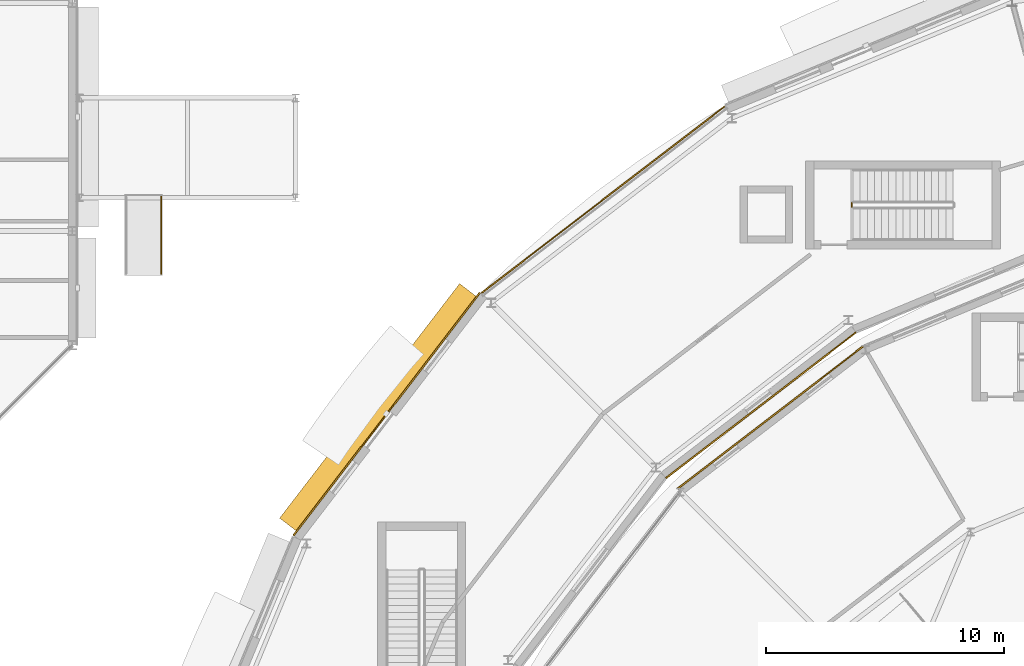
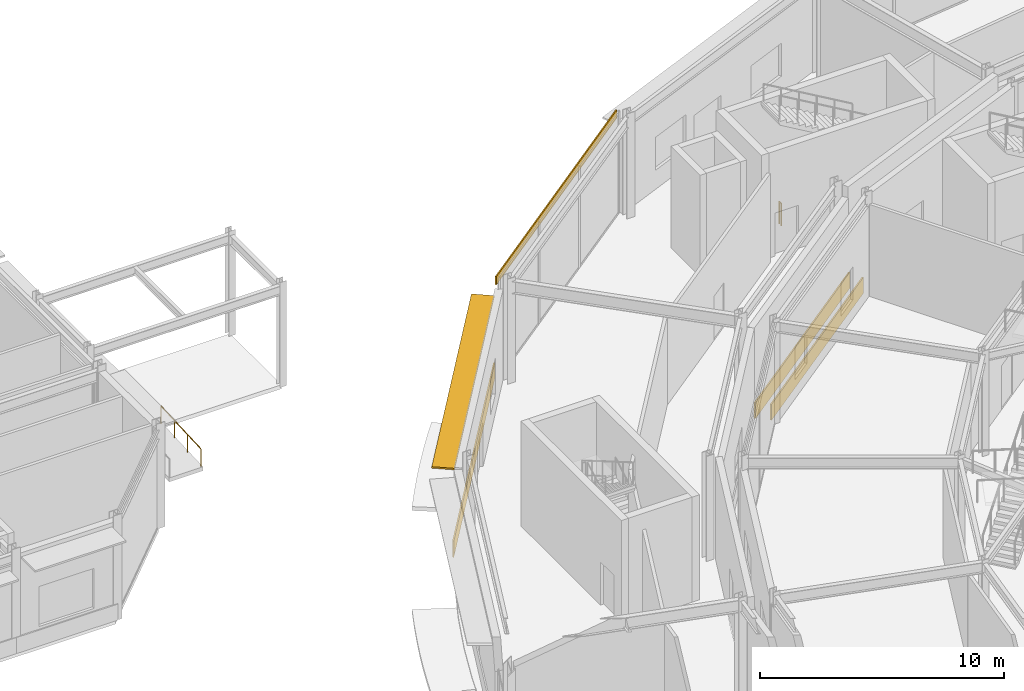
# One storey, part 155 of 168: 4 coverings, 2 railings, 1 shading device.
"""IFC4 building model written with IfcOpenShell, lengths in metres."""

from ifc_helpers import new_model, si_unit, direction, frame, origin, origin_2d, place, context, subcontext, project, spatial, rectangle, circle, extrude, material, layer, layer_set, type_object, element, save


model = new_model("IFC4")

# Units and contexts
model_context = context("Model", 3, precision=1e-05, world=origin(), true_north=direction((0.0, 1.0)))
body_context = subcontext(model_context, "Body", "Model", "MODEL_VIEW")
ifc_project = project(units=[si_unit("LENGTHUNIT", "METRE"), si_unit("AREAUNIT", "SQUARE_METRE"), si_unit("VOLUMEUNIT", "CUBIC_METRE"), si_unit("PLANEANGLEUNIT", "RADIAN"), si_unit("MASSUNIT", "GRAM", prefix="KILO")], contexts=[model_context])

# Site, building, storey
site_placement = place(None, origin())
site = spatial("IfcSite", under=ifc_project, at=site_placement, CompositionType="ELEMENT")
building_placement = place(site_placement, origin())
building = spatial("IfcBuilding", under=site, at=building_placement, Name="Almandine Court Research Institute", CompositionType="ELEMENT")
storey_placement = place(building_placement, origin())
storey = spatial("IfcBuildingStorey", under=building, at=storey_placement, Name="L00", CompositionType="ELEMENT", Elevation=0.0)

# Coverings
ifc_material_1 = material(Name="Honed Andean Red-Buff Sandstone Cladding", Category="masonry")
ifc_layer_1 = layer(ifc_material_1, 0.06494140625)
ifc_layer_set_1 = layer_set([ifc_layer_1], Name="Honed Andean Red-Buff Sandstone Cladding")
covering_type_1 = type_object("IfcCoveringType", Name="Cov-CLAD-SAND", PredefinedType="CLADDING", material=ifc_layer_set_1)
covering_1_placement = place(storey_placement, frame((63.77294921875, 86.27001953125, 0.02001953125), z_axis=(0.0, 0.0, 1.0), x_axis=(-0.793353340291, -0.608761429009, 0.0)))
element("IfcCovering", 1, at=covering_1_placement, inside=storey, type_object=covering_type_1, Name="L00 Facade Spandrel Cladding Band 277", PredefinedType="CLADDING", context=body_context, shape_type="SweptSolid", body=[
    extrude(rectangle(XDim=10.080078125, YDim=0.06494140625, at=origin_2d()), origin(), (0.0, 0.0, 1.0), 0.800048828125),
])
covering_2_placement = place(storey_placement, frame((48.031982421875, 85.902099609375, 0.02001953125), z_axis=(0.0, 0.0, 1.0), x_axis=(0.608761429009, 0.793353340291, 0.0)))
element("IfcCovering", 2, at=covering_2_placement, inside=storey, type_object=covering_type_1, Name="L00 Facade Spandrel Cladding Band 278", PredefinedType="CLADDING", context=body_context, shape_type="SweptSolid", body=[
    extrude(rectangle(XDim=12.867919921875, YDim=0.06494140625, at=origin_2d()), origin(), (0.0, 0.0, 1.0), 0.800048828125),
])
covering_3_placement = place(storey_placement, frame((64.169921875, 85.7529296875, 0.02001953125), z_axis=(0.0, 0.0, 1.0), x_axis=(0.793353340291, 0.608761429009, 0.0)))
element("IfcCovering", 3, at=covering_3_placement, inside=storey, type_object=covering_type_1, Name="L00 Facade Spandrel Cladding Band 431", PredefinedType="CLADDING", context=body_context, shape_type="SweptSolid", body=[
    extrude(rectangle(XDim=9.820068359375, YDim=0.06494140625, at=origin_2d()), origin(), (0.0, 0.0, 1.0), 0.800048828125),
])
ifc_material_2 = material(Name="Extruded Cream-Ochre Seismic Terracotta Spandrel", Category="masonry")
ifc_layer_2 = layer(ifc_material_2, 0.054931640625)
ifc_layer_set_2 = layer_set([ifc_layer_2], Name="Extruded Cream-Ochre Seismic Terracotta Spandrel")
covering_type_2 = type_object("IfcCoveringType", Name="Cov-CLAD-TERR", PredefinedType="CLADDING", material=ifc_layer_set_2)
covering_4_placement = place(storey_placement, frame((57.135009765625, 94.919921875, 4.679931640625), z_axis=(0.0, 0.0, 1.0), x_axis=(0.793353340291, 0.608761429009, 0.0)))
element("IfcCovering", 4, at=covering_4_placement, inside=storey, type_object=covering_type_2, Name="L00 Drum Stacked Terracotta Ring Band 08", PredefinedType="CLADDING", context=body_context, shape_type="SweptSolid", body=[
    extrude(rectangle(XDim=12.8779296875, YDim=0.054931640625, at=origin_2d()), origin(), (0.0, 0.0, 1.0), 0.419921875),
])

# Railings
ifc_material_3 = material(Name="Powder-Coated Steel Stair and Atrium Balustrade", Category="steel")
railing_type_1 = type_object("IfcRailingType", Name="Rail-GUARD-INT", PredefinedType="BALUSTRADE", material=ifc_material_3)
railing_1_placement = place(storey_placement, frame((67.60009765625, 94.6201171875, 0.0)))
element("IfcRailing", 5, at=railing_1_placement, inside=storey, type_object=railing_type_1, Name="L00 ST-10 stair guard 4", PredefinedType="BALUSTRADE", context=body_context, shape_type="SweptSolid", body=[
    extrude(circle(Radius=0.02392578125, at=origin_2d()), frame((0.0, 0.0, 1.09619140625), z_axis=(0.0, 1.0, 0.0), x_axis=(-1.0, 0.0, 0.0)), (0.0, 0.0, 1.0), 0.159912109375),
    extrude(circle(Radius=0.02099609375, at=origin_2d()), origin(), (0.0, 0.0, 1.0), 1.072021484375),
    extrude(circle(Radius=0.02099609375, at=origin_2d()), frame((0.0, 0.159912109375, 0.0)), (0.0, 0.0, 1.0), 1.072021484375),
])
ifc_material_4 = material(Name="Brushed Stainless Steel Exterior Ramp Handrail", Category="steel")
railing_type_2 = type_object("IfcRailingType", Name="Rail-HAND-EXT", PredefinedType="HANDRAIL", material=ifc_material_4)
railing_2_placement = place(storey_placement, frame((38.5400390625, 91.800048828125, -0.14990234375)))
element("IfcRailing", 6, at=railing_2_placement, inside=storey, type_object=railing_type_2, Name="Northwest Dalan Courtyard Accessible Ramp Handrail R", PredefinedType="HANDRAIL", context=body_context, shape_type="SweptSolid", body=[
    extrude(circle(Radius=0.02392578125, at=origin_2d()), frame((0.0, 0.0, 0.8759765625), z_axis=(0.0, 0.998937991816, 0.046074814226), x_axis=(-1.0, 0.0, 0.0)), (0.0, 0.0, 1.0), 3.25341796875),
    extrude(circle(Radius=0.02099609375, at=origin_2d()), origin(), (0.0, 0.0, 1.0), 0.851806640625),
    extrude(circle(Radius=0.02099609375, at=origin_2d()), frame((0.0, 1.083251953125, 0.050048828125)), (0.0, 0.0, 1.0), 0.851806640625),
    extrude(circle(Radius=0.02099609375, at=origin_2d()), frame((0.0, 2.166748046875, 0.099853515625)), (0.0, 0.0, 1.0), 0.851806640625),
    extrude(circle(Radius=0.02099609375, at=origin_2d()), frame((0.0, 3.25, 0.14990234375)), (0.0, 0.0, 1.0), 0.851806640625),
])

# Shading device
ifc_material_5 = material(Name="Precast GFRC Chhajja Sunshade and Acoustic Louvre", Category="concrete")
ifc_layer_3 = layer(ifc_material_5, 0.080078125)
ifc_layer_set_3 = layer_set([ifc_layer_3], Name="Precast GFRC Chhajja Sunshade and Acoustic Louvre")
shading_device_type = type_object("IfcShadingDeviceType", Name="Shd-SD-70", PredefinedType="AWNING", material=ifc_layer_set_3)
shading_device_placement = place(storey_placement, frame((47.68701171875, 86.166015625, 4.23583984375), z_axis=(0.0, 0.0, 1.0), x_axis=(0.608761429009, 0.793353340291, 0.0)))
element("IfcShadingDevice", 7, at=shading_device_placement, inside=storey, type_object=shading_device_type, Name="L00 Projecting Chhajja Sunshade 181", PredefinedType="AWNING", context=body_context, shape_type="SweptSolid", body=[
    extrude(rectangle(XDim=12.43798828125, YDim=0.949951171875, at=origin_2d()), origin(), (0.0, 0.0, 1.0), 0.080078125),
])

save(model, "model.ifc")
